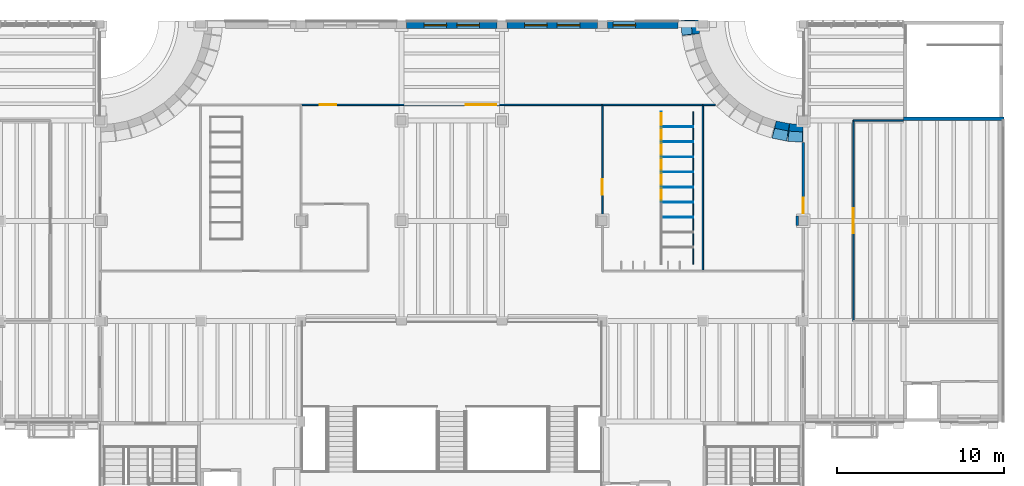
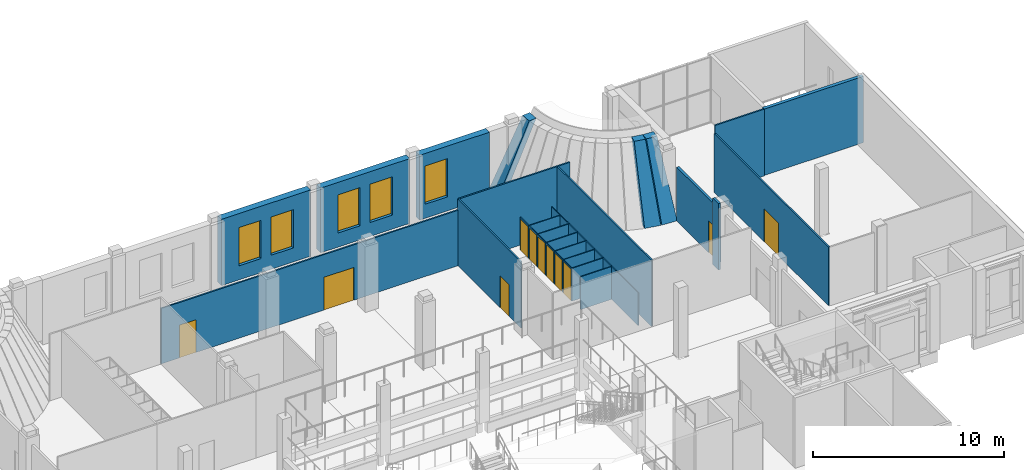
# One storey, part 34 of 70: 30 walls, 11 doors, 5 windows, 16 openings.
"""IFC4 building model written with IfcOpenShell, lengths in metres."""

import ifcopenshell
import ifcopenshell.guid

model = None  # the IFC model being written
_history = None  # IfcOwnerHistory: only IFC2X3 demands one
_inside = {}  # id of a spatial element -> (the spatial element, [elements in it])
_under = {}  # id of a project, library or spatial element -> (it, [spatial elements below it])
_declared = {}  # id of a project -> (the project, [libraries it declares])
_typed = {}  # id of a type object -> (the type object, [elements of that type])
_made_of = {}  # id of a material, layer set ... -> (it, [elements and type objects made of it])


def new_model(schema):
    """Start an empty IFC model of exactly this schema.

    Asked for "IFC4X3", IfcOpenShell would pick the latest addendum, in which some entities
    have other attributes; the version numbers below select the first issue.
    IFC2X3 requires an IfcOwnerHistory on every rooted entity: one is made here for all.
    """
    global model, _history
    if schema == "IFC4X3":
        model = ifcopenshell.file(schema_version=(4, 3, 0, 0))
    else:
        model = ifcopenshell.file(schema=schema)
    _inside.clear()
    _under.clear()
    _declared.clear()
    _typed.clear()
    _made_of.clear()
    _history = None
    if model.schema == "IFC2X3":
        org = make("IfcOrganization", Name="unknown")
        user = make(
            "IfcPersonAndOrganization",
            ThePerson=make("IfcPerson", FamilyName="unknown"),
            TheOrganization=org,
        )
        app = make(
            "IfcApplication",
            ApplicationDeveloper=org,
            Version="unknown",
            ApplicationFullName="unknown",
            ApplicationIdentifier="unknown",
        )
        _history = make(
            "IfcOwnerHistory",
            OwningUser=user,
            OwningApplication=app,
            ChangeAction="ADDED",
            CreationDate=0,
        )
    return model


def make(cls, **values):
    """One entity of the class cls with the attributes given. An attribute that is None is left unset."""
    return model.create_entity(
        cls, **{name: value for name, value in values.items() if value is not None}
    )


def rooted(cls, **values):
    """An entity with a GlobalId (a new one), such as an element, a storey or a relation."""
    return make(cls, GlobalId=ifcopenshell.guid.new(), OwnerHistory=_history, **values)


def si_unit(unit_type, name, prefix=None):
    """IfcSIUnit, for example si_unit("LENGTHUNIT", "METRE", prefix="MILLI")."""
    return make("IfcSIUnit", UnitType=unit_type, Prefix=prefix, Name=name)


def assignment(units):
    """IfcUnitAssignment: the units of a project."""
    return None if units is None else make("IfcUnitAssignment", Units=units)


def point(xyz):
    """IfcCartesianPoint."""
    return None if xyz is None else make("IfcCartesianPoint", Coordinates=xyz)


def direction(xyz):
    """IfcDirection."""
    return None if xyz is None else make("IfcDirection", DirectionRatios=xyz)


def frame(location, z_axis=None, x_axis=None):
    """IfcAxis2Placement3D, a coordinate frame: its origin and axes. An axis left out is left unset."""
    return make(
        "IfcAxis2Placement3D",
        Location=point(location),
        Axis=direction(z_axis),
        RefDirection=direction(x_axis),
    )


def frame_2d(location, x_axis=None):
    """IfcAxis2Placement2D, a coordinate frame in the plane: its origin and x axis."""
    return make(
        "IfcAxis2Placement2D", Location=point(location), RefDirection=direction(x_axis)
    )


def origin():
    """The frame at (0, 0, 0) with its axes left unset."""
    return frame((0.0, 0.0, 0.0))


def place(relative_to, where):
    """IfcLocalPlacement: puts the frame where relative to a parent placement (None: the world)."""
    return make(
        "IfcLocalPlacement", PlacementRelTo=relative_to, RelativePlacement=where
    )


def context(
    kind, dimensions, precision=None, world=None, true_north=None, identifier=None
):
    """IfcGeometricRepresentationContext, for example the 3D "Model" context."""
    return make(
        "IfcGeometricRepresentationContext",
        ContextIdentifier=identifier,
        ContextType=kind,
        CoordinateSpaceDimension=dimensions,
        Precision=precision,
        WorldCoordinateSystem=world,
        TrueNorth=true_north,
    )


def subcontext(parent, identifier, kind, view, scale=None):
    """IfcGeometricRepresentationSubContext, for example "Body" below "Model"."""
    return make(
        "IfcGeometricRepresentationSubContext",
        ContextIdentifier=identifier,
        ContextType=kind,
        ParentContext=parent,
        TargetScale=scale,
        TargetView=view,
    )


def project(units=None, contexts=None):
    """IfcProject with its units and contexts."""
    return rooted(
        "IfcProject",
        Name="project",
        RepresentationContexts=contexts,
        UnitsInContext=assignment(units),
    )


def spatial(cls, under=None, at=None, **own):
    """A site, building, storey or space (cls), placed at a placement, below another one or the project."""
    s = rooted(cls, ObjectPlacement=at, **own)
    if under is not None:
        _under.setdefault(under.id(), (under, []))[1].append(s)
    return s


def polyline(points):
    """IfcPolyline through the points."""
    return make("IfcPolyline", Points=[point(p) for p in points])


def profile(cls, at=None, kind="AREA", **sizes):
    """A parametric profile (cls). Its sizes go by their IFC names, for example OverallWidth=200.0."""
    return make(cls, ProfileType=kind, Position=at, **sizes)


def rectangle(**sizes):
    """IfcRectangleProfileDef."""
    return profile("IfcRectangleProfileDef", **sizes)


def outline(outer, holes=None, kind="AREA"):
    """IfcArbitraryClosedProfileDef: a profile drawn as a closed curve; with holes, ...WithVoids."""
    if holes is None:
        return make("IfcArbitraryClosedProfileDef", ProfileType=kind, OuterCurve=outer)
    return make(
        "IfcArbitraryProfileDefWithVoids",
        ProfileType=kind,
        OuterCurve=outer,
        InnerCurves=holes,
    )


def extrude(swept, where, along, depth):
    """IfcExtrudedAreaSolid: the profile swept, set in the frame where, extruded along a direction by depth."""
    return make(
        "IfcExtrudedAreaSolid",
        SweptArea=swept,
        Position=where,
        ExtrudedDirection=direction(along),
        Depth=depth,
    )


def shape(context_of_items, identifier, shape_type, items):
    """IfcShapeRepresentation: the items that make up one representation, for example the "Body"."""
    return make(
        "IfcShapeRepresentation",
        ContextOfItems=context_of_items,
        RepresentationIdentifier=identifier,
        RepresentationType=shape_type,
        Items=items,
    )


def material(Name=None, Category=None):
    """IfcMaterial."""
    return make("IfcMaterial", Name=Name, Category=Category)


def layer(
    of_material, thickness, ventilated=None, Name=None, Category=None, Priority=None
):
    """IfcMaterialLayer: one layer of a wall or slab, of a material (None: an air gap)."""
    return make(
        "IfcMaterialLayer",
        Material=of_material,
        LayerThickness=thickness,
        IsVentilated=ventilated,
        Name=Name,
        Category=Category,
        Priority=Priority,
    )


def layer_set(layers, Name=None):
    """IfcMaterialLayerSet."""
    return make("IfcMaterialLayerSet", MaterialLayers=layers, LayerSetName=Name)


def made_of(thing, what):
    """Note that an element or type object is made of a material, layer set ...; save() writes the relation."""
    if what is not None:
        _made_of.setdefault(what.id(), (what, []))[1].append(thing)
    return thing


def type_object(cls, material=None, **own):
    """A type object (cls), such as IfcWallType, which elements share."""
    return made_of(rooted(cls, **own), material)


def element(
    cls,
    number,
    at=None,
    inside=None,
    cuts=None,
    type_object=None,
    material=None,
    context=None,
    identifier="Body",
    shape_type=None,
    held_by="IfcProductDefinitionShape",
    body=None,
    shapes=None,
    **own,
):
    """One element of the class cls, such as IfcWall. Its Tag is "e" and its number.

    at: its placement. inside: the storey or other place that contains it. cuts: it is an
    opening in that element (IfcRelVoidsElement). A single representation is given by context,
    identifier, shape_type and body (its items); several are given by shapes. held_by: the class
    of the entity that holds the representations. save() writes the other relations.
    """
    e = rooted(cls, Tag="e%d" % number, ObjectPlacement=at, **own)
    if body is not None:
        shapes = [shape(context, identifier, shape_type, body)]
    if shapes is not None:
        e.Representation = make(held_by, Representations=shapes)
    if inside is not None:
        _inside.setdefault(inside.id(), (inside, []))[1].append(e)
    if cuts is not None:
        rooted(
            "IfcRelVoidsElement", RelatingBuildingElement=cuts, RelatedOpeningElement=e
        )
    if type_object is not None:
        _typed.setdefault(type_object.id(), (type_object, []))[1].append(e)
    return made_of(e, material)


def fill(opening, filler):
    """IfcRelFillsElement: the door or window that sits in an opening."""
    return rooted(
        "IfcRelFillsElement",
        RelatingOpeningElement=opening,
        RelatedBuildingElement=filler,
    )


def aggregate(whole, parts):
    """IfcRelAggregates: a whole, such as a stair, and the parts it consists of."""
    return rooted("IfcRelAggregates", RelatingObject=whole, RelatedObjects=parts)


def save(model, path):
    """Write the relations noted so far, then the file.

    IfcRelAggregates (storeys below a building ...), IfcRelContainedInSpatialStructure (elements
    in a storey), IfcRelDefinesByType, IfcRelAssociatesMaterial and IfcRelDeclares: one each for
    every whole, place, type object, material and project.
    """
    for whole, parts in _under.values():
        aggregate(whole, parts)
    for where, things in _inside.values():
        rooted(
            "IfcRelContainedInSpatialStructure",
            RelatedElements=things,
            RelatingStructure=where,
        )
    for kind, things in _typed.values():
        rooted("IfcRelDefinesByType", RelatedObjects=things, RelatingType=kind)
    for what, things in _made_of.values():
        rooted("IfcRelAssociatesMaterial", RelatedObjects=things, RelatingMaterial=what)
    for by, libraries in _declared.values():
        rooted("IfcRelDeclares", RelatingContext=by, RelatedDefinitions=libraries)
    model.write(path)


model = new_model("IFC4")

# Units and contexts
model_context = context("Model", 3, precision=1e-05, world=origin(), true_north=direction((0.0, 1.0)))
body_context = subcontext(model_context, "Body", "Model", "MODEL_VIEW")
ifc_project = project(units=[si_unit("LENGTHUNIT", "METRE"), si_unit("AREAUNIT", "SQUARE_METRE"), si_unit("VOLUMEUNIT", "CUBIC_METRE"), si_unit("PLANEANGLEUNIT", "RADIAN"), si_unit("MASSUNIT", "GRAM", prefix="KILO")], contexts=[model_context])

# Site, building, storey
site_placement = place(None, origin())
site = spatial("IfcSite", under=ifc_project, at=site_placement, CompositionType="ELEMENT")
building_placement = place(site_placement, origin())
building = spatial("IfcBuilding", under=site, at=building_placement, Name="Saffron Lane Theatres", CompositionType="ELEMENT")
storey_placement = place(building_placement, frame((0.0, 0.0, 12.0)))
storey = spatial("IfcBuildingStorey", under=building, at=storey_placement, Name="L02", CompositionType="ELEMENT", Elevation=12.0)

# Wall, openings, windows
ifc_material_1 = material(Name="Masonry pale clay brick", Category="masonry")
ifc_layer_1 = layer(ifc_material_1, 0.11, Name="facing leaf")
ifc_material_2 = material(Name="Air cavity", Category="air")
ifc_layer_2 = layer(ifc_material_2, 0.05, ventilated=True, Name="cavity")
ifc_material_3 = material(Name="Mineral wool insulation")
ifc_layer_3 = layer(ifc_material_3, 0.06, Name="insulation")
ifc_material_4 = material(Name="Concrete N40 (40 MPa)", Category="concrete")
ifc_layer_4 = layer(ifc_material_4, 0.18, Name="inner leaf")
ifc_layer_set_1 = layer_set([ifc_layer_1, ifc_layer_2, ifc_layer_3, ifc_layer_4], Name="Masonry pale clay brick")
wall_type_1 = type_object("IfcWallType", Name="EX-WALL BRICK 400", PredefinedType="SOLIDWALL", material=ifc_layer_set_1)
wall_1_placement = place(storey_placement, frame((30.300048828125, 125.699951171875, 0.0), z_axis=(0.0, 0.0, 1.0), x_axis=(1.0, 0.0, 0.0)))
wall_1 = element("IfcWall", 1, at=wall_1_placement, inside=storey, type_object=wall_type_1, Name="External wall L02 13", PredefinedType="SOLIDWALL", context=body_context, shape_type="SweptSolid", body=[
    extrude(rectangle(XDim=5.39990234375, YDim=0.39990234375, at=frame_2d((2.699951171875, 0.0))), origin(), (0.0, 0.0, 1.0), 4.25),
])
opening_1_placement = place(wall_1_placement, frame((1.050048828125, 0.0, 0.89990234375)))
opening_1 = element("IfcOpeningElement", 2, at=opening_1_placement, cuts=wall_1, Name="Opening WN02-012", PredefinedType="OPENING", context=body_context, shape_type="SweptSolid", body=[
    extrude(rectangle(XDim=1.35009765625, YDim=2.449951171875, at=frame_2d((0.675048828125, 1.22509765625))), frame((0.0, 0.2099609375, 0.0), z_axis=(0.0, -1.0, 0.0), x_axis=(1.0, 0.0, 0.0)), (0.0, 0.0, 1.0), 0.419921875),
])
opening_2_placement = place(wall_1_placement, frame((3.0, 0.0, 0.89990234375)))
opening_2 = element("IfcOpeningElement", 3, at=opening_2_placement, cuts=wall_1, Name="Opening WN02-013", PredefinedType="OPENING", context=body_context, shape_type="SweptSolid", body=[
    extrude(rectangle(XDim=1.35009765625, YDim=2.449951171875, at=frame_2d((0.675048828125, 1.22509765625))), frame((0.0, 0.2099609375, 0.0), z_axis=(0.0, -1.0, 0.0), x_axis=(1.0, 0.0, 0.0)), (0.0, 0.0, 1.0), 0.419921875),
])
ifc_material_5 = material(Name="Aluminium", Category="aluminium")
window_type = type_object("IfcWindowType", Name="EX-WINDOW 1350x2450", PartitioningType="SINGLE_PANEL", PredefinedType="WINDOW", material=ifc_material_5)
window_1_placement = place(opening_1_placement, origin())
window_1 = element("IfcWindow", 4, at=window_1_placement, inside=storey, type_object=window_type, Name="Window L02 012", OverallHeight=2.449951171875, OverallWidth=1.35009765625, PartitioningType="SINGLE_PANEL", PredefinedType="WINDOW", context=body_context, shape_type="SweptSolid", body=[
    extrude(rectangle(XDim=1.35009765625, YDim=2.449951171875, at=frame_2d((0.675048828125, 1.22509765625))), frame((0.0, 0.030029296875, 0.0), z_axis=(0.0, -1.0, 0.0), x_axis=(1.0, 0.0, 0.0)), (0.0, 0.0, 1.0), 0.06005859375),
])
fill(opening_1, window_1)
window_2_placement = place(opening_2_placement, origin())
window_2 = element("IfcWindow", 5, at=window_2_placement, inside=storey, type_object=window_type, Name="Window L02 013", OverallHeight=2.449951171875, OverallWidth=1.35009765625, PartitioningType="SINGLE_PANEL", PredefinedType="WINDOW", context=body_context, shape_type="SweptSolid", body=[
    extrude(rectangle(XDim=1.35009765625, YDim=2.449951171875, at=frame_2d((0.675048828125, 1.22509765625))), frame((0.0, 0.030029296875, 0.0), z_axis=(0.0, -1.0, 0.0), x_axis=(1.0, 0.0, 0.0)), (0.0, 0.0, 1.0), 0.06005859375),
])
fill(opening_2, window_2)

wall_2_placement = place(storey_placement, frame((36.300048828125, 125.699951171875, 0.0), z_axis=(0.0, 0.0, 1.0), x_axis=(1.0, 0.0, 0.0)))
wall_2 = element("IfcWall", 6, at=wall_2_placement, inside=storey, type_object=wall_type_1, Name="External wall L02 14", PredefinedType="SOLIDWALL", context=body_context, shape_type="SweptSolid", body=[
    extrude(rectangle(XDim=5.39990234375, YDim=0.39990234375, at=frame_2d((2.699951171875, 0.0))), origin(), (0.0, 0.0, 1.0), 4.14990234375),
])
opening_3_placement = place(wall_2_placement, frame((1.050048828125, 0.0, 0.89990234375)))
opening_3 = element("IfcOpeningElement", 7, at=opening_3_placement, cuts=wall_2, Name="Opening WN02-014", PredefinedType="OPENING", context=body_context, shape_type="SweptSolid", body=[
    extrude(rectangle(XDim=1.35009765625, YDim=2.449951171875, at=frame_2d((0.675048828125, 1.22509765625))), frame((0.0, 0.2099609375, 0.0), z_axis=(0.0, -1.0, 0.0), x_axis=(1.0, 0.0, 0.0)), (0.0, 0.0, 1.0), 0.419921875),
])
opening_4_placement = place(wall_2_placement, frame((3.0, 0.0, 0.89990234375)))
opening_4 = element("IfcOpeningElement", 8, at=opening_4_placement, cuts=wall_2, Name="Opening WN02-015", PredefinedType="OPENING", context=body_context, shape_type="SweptSolid", body=[
    extrude(rectangle(XDim=1.35009765625, YDim=2.449951171875, at=frame_2d((0.675048828125, 1.22509765625))), frame((0.0, 0.2099609375, 0.0), z_axis=(0.0, -1.0, 0.0), x_axis=(1.0, 0.0, 0.0)), (0.0, 0.0, 1.0), 0.419921875),
])
window_3_placement = place(opening_3_placement, origin())
window_3 = element("IfcWindow", 9, at=window_3_placement, inside=storey, type_object=window_type, Name="Window L02 014", OverallHeight=2.449951171875, OverallWidth=1.35009765625, PartitioningType="SINGLE_PANEL", PredefinedType="WINDOW", context=body_context, shape_type="SweptSolid", body=[
    extrude(rectangle(XDim=1.35009765625, YDim=2.449951171875, at=frame_2d((0.675048828125, 1.22509765625))), frame((0.0, 0.030029296875, 0.0), z_axis=(0.0, -1.0, 0.0), x_axis=(1.0, 0.0, 0.0)), (0.0, 0.0, 1.0), 0.06005859375),
])
fill(opening_3, window_3)
window_4_placement = place(opening_4_placement, origin())
window_4 = element("IfcWindow", 10, at=window_4_placement, inside=storey, type_object=window_type, Name="Window L02 015", OverallHeight=2.449951171875, OverallWidth=1.35009765625, PartitioningType="SINGLE_PANEL", PredefinedType="WINDOW", context=body_context, shape_type="SweptSolid", body=[
    extrude(rectangle(XDim=1.35009765625, YDim=2.449951171875, at=frame_2d((0.675048828125, 1.22509765625))), frame((0.0, 0.030029296875, 0.0), z_axis=(0.0, -1.0, 0.0), x_axis=(1.0, 0.0, 0.0)), (0.0, 0.0, 1.0), 0.06005859375),
])
fill(opening_4, window_4)

# Wall, opening, window
ifc_material_6 = material(Name="Masonry pale clay brick (20 MPa)", Category="masonry")
ifc_layer_5 = layer(ifc_material_6, 0.39990234375)
ifc_layer_set_2 = layer_set([ifc_layer_5], Name="Masonry pale clay brick (20 MPa)")
wall_type_2 = type_object("IfcWallType", Name="EX-WALL BRICK BEARING 400", PredefinedType="SOLIDWALL", material=ifc_layer_set_2)
wall_3_placement = place(storey_placement, frame((42.300048828125, 125.699951171875, 0.0), z_axis=(0.0, 0.0, 1.0), x_axis=(1.0, 0.0, 0.0)))
wall_3 = element("IfcWall", 11, at=wall_3_placement, inside=storey, type_object=wall_type_2, Name="External wall L02 15", PredefinedType="SOLIDWALL", context=body_context, shape_type="SweptSolid", body=[
    extrude(rectangle(XDim=4.2255859375, YDim=0.39990234375, at=frame_2d((2.11279296875, 0.0))), origin(), (0.0, 0.0, 1.0), 4.14990234375),
])
opening_5_placement = place(wall_3_placement, frame((0.337890625, 0.0, 0.89990234375)))
opening_5 = element("IfcOpeningElement", 12, at=opening_5_placement, cuts=wall_3, Name="Opening WN02-016", PredefinedType="OPENING", context=body_context, shape_type="SweptSolid", body=[
    extrude(rectangle(XDim=1.35009765625, YDim=2.449951171875, at=frame_2d((0.675048828125, 1.22509765625))), frame((0.0, 0.2099609375, 0.0), z_axis=(0.0, -1.0, 0.0), x_axis=(1.0, 0.0, 0.0)), (0.0, 0.0, 1.0), 0.419921875),
])
window_5_placement = place(opening_5_placement, origin())
window_5 = element("IfcWindow", 13, at=window_5_placement, inside=storey, type_object=window_type, Name="Window L02 016", OverallHeight=2.449951171875, OverallWidth=1.35009765625, PartitioningType="SINGLE_PANEL", PredefinedType="WINDOW", context=body_context, shape_type="SweptSolid", body=[
    extrude(rectangle(XDim=1.35009765625, YDim=2.449951171875, at=frame_2d((0.675048828125, 1.22509765625))), frame((0.0, 0.030029296875, 0.0), z_axis=(0.0, -1.0, 0.0), x_axis=(1.0, 0.0, 0.0)), (0.0, 0.0, 1.0), 0.06005859375),
])
fill(opening_5, window_5)

# Wall, opening, door
ifc_material_7 = material(Name="Masonry block partition", Category="masonry")
ifc_layer_6 = layer(ifc_material_7, 0.139892578125)
ifc_layer_set_3 = layer_set([ifc_layer_6], Name="Masonry block partition")
wall_type_3 = type_object("IfcWallType", Name="IN-BLOCK PARTITION 140", PredefinedType="PARTITIONING", material=ifc_layer_set_3)
wall_4_placement = place(storey_placement, frame((54.0, 114.294921875, 0.0), z_axis=(0.0, 0.0, 1.0), x_axis=(0.0, 1.0, 0.0)))
wall_4 = element("IfcWall", 14, at=wall_4_placement, inside=storey, type_object=wall_type_3, Name="PW-L02-046", PredefinedType="PARTITIONING", context=body_context, shape_type="SweptSolid", body=[
    extrude(rectangle(XDim=4.398193359375, YDim=0.139892578125, at=frame_2d((2.19921875, 0.0))), origin(), (0.0, 0.0, 1.0), 3.449951171875),
])
opening_6_placement = place(wall_4_placement, frame((0.155029296875, 0.0, 0.0)))
opening_6 = element("IfcOpeningElement", 15, at=opening_6_placement, cuts=wall_4, Name="Opening D02-06", PredefinedType="OPENING", context=body_context, shape_type="SweptSolid", body=[
    extrude(rectangle(XDim=0.919921875, YDim=2.0400390625, at=frame_2d((0.4599609375, 1.02001953125))), frame((0.0, 0.080078125, 0.0), z_axis=(0.0, -1.0, 0.0), x_axis=(1.0, 0.0, 0.0)), (0.0, 0.0, 1.0), 0.159912109375),
])
ifc_material_8 = material(Name="Steel faced fire door leaf", Category="steel")
door_type_1 = type_object("IfcDoorType", Name="IN-DOOR 920x2040 FD120", OperationType="NOTDEFINED", PredefinedType="DOOR", material=ifc_material_8)
door_1_placement = place(opening_6_placement, origin())
door_1 = element("IfcDoor", 16, at=door_1_placement, inside=storey, type_object=door_type_1, Name="D02-06", OperationType="SINGLE_SWING_LEFT", OverallHeight=2.0400390625, OverallWidth=0.919921875, PredefinedType="DOOR", context=body_context, shape_type="SweptSolid", body=[
    extrude(rectangle(XDim=0.919921875, YDim=2.0400390625, at=frame_2d((0.4599609375, 1.02001953125))), frame((0.0, 0.02490234375, 0.0), z_axis=(0.0, -1.0, 0.0), x_axis=(1.0, 0.0, 0.0)), (0.0, 0.0, 1.0), 0.050048828125),
])
fill(opening_6, door_1)

# Walls
wall_5_placement = place(storey_placement, frame((53.64990234375, 113.705078125, 0.0), z_axis=(0.0, 0.0, 1.0), x_axis=(0.0, 1.0, 0.0)))
element("IfcWall", 17, at=wall_5_placement, inside=storey, type_object=wall_type_3, Name="PW-L02-048", PredefinedType="PARTITIONING", context=body_context, shape_type="SweptSolid", body=[
    extrude(rectangle(XDim=0.58984375, YDim=0.139892578125, at=frame_2d((0.294921875, 0.0))), origin(), (0.0, 0.0, 1.0), 4.25),
])
ifc_material_9 = material(Name="Laminate cubicle panel")
ifc_layer_7 = layer(ifc_material_9, 0.050048828125)
ifc_layer_set_4 = layer_set([ifc_layer_7], Name="Laminate cubicle panel")
wall_type_4 = type_object("IfcWallType", Name="IN-CUBICLE PANEL 050", PredefinedType="PARTITIONING", material=ifc_layer_set_4)
for number, where, z_axis, x_axis, name in (
    (18, (45.52490234375, 114.215087890625, 0.0), (0.0, 0.0, 1.0), (1.0, 0.0, 0.0), "PW-L02-126"),
    (19, (45.52490234375, 115.114990234375, 0.0), (0.0, 0.0, 1.0), (1.0, 0.0, 0.0), "PW-L02-127"),
    (20, (45.52490234375, 116.014892578125, 0.0), (0.0, 0.0, 1.0), (1.0, 0.0, 0.0), "PW-L02-128"),
    (21, (45.52490234375, 116.9150390625, 0.0), (0.0, 0.0, 1.0), (1.0, 0.0, 0.0), "PW-L02-129"),
    (22, (45.52490234375, 117.81494140625, 0.0), (0.0, 0.0, 1.0), (1.0, 0.0, 0.0), "PW-L02-130"),
    (23, (45.52490234375, 118.715087890625, 0.0), (0.0, 0.0, 1.0), (1.0, 0.0, 0.0), "PW-L02-131"),
    (24, (45.52490234375, 119.614990234375, 0.0), (0.0, 0.0, 1.0), (1.0, 0.0, 0.0), "PW-L02-132"),
):
    element("IfcWall", number, at=place(storey_placement, frame(where, z_axis=z_axis, x_axis=x_axis)), inside=storey, type_object=wall_type_4, Name=name, PredefinedType="PARTITIONING", context=body_context, shape_type="SweptSolid", body=[
        extrude(rectangle(XDim=1.900146484375, YDim=0.050048828125, at=frame_2d((0.9501953125, 0.0))), origin(), (0.0, 0.0, 1.0), 2.10009765625),
    ])

# Wall, opening, door
wall_6_placement = place(storey_placement, frame((45.52490234375, 115.114990234375, 0.0), z_axis=(0.0, 0.0, 1.0), x_axis=(0.0, 1.0, 0.0)))
wall_6 = element("IfcWall", 25, at=wall_6_placement, inside=storey, type_object=wall_type_4, Name="PW-L02-137", PredefinedType="PARTITIONING", context=body_context, shape_type="SweptSolid", body=[
    extrude(rectangle(XDim=0.89990234375, YDim=0.050048828125, at=frame_2d((0.449951171875, 0.0))), origin(), (0.0, 0.0, 1.0), 2.10009765625),
])
opening_7_placement = place(wall_6_placement, frame((0.074951171875, 0.0, 0.0)))
opening_7 = element("IfcOpeningElement", 26, at=opening_7_placement, cuts=wall_6, Name="Opening D02-66", PredefinedType="OPENING", context=body_context, shape_type="SweptSolid", body=[
    extrude(rectangle(XDim=0.75, YDim=2.0, at=frame_2d((0.375, 1.0))), frame((0.0, 0.03515625, 0.0), z_axis=(0.0, -1.0, 0.0), x_axis=(1.0, 0.0, 0.0)), (0.0, 0.0, 1.0), 0.070068359375),
])
ifc_material_10 = material(Name="Timber door leaf", Category="wood")
door_type_2 = type_object("IfcDoorType", Name="IN-DOOR 750x2000", OperationType="NOTDEFINED", PredefinedType="DOOR", material=ifc_material_10)
door_2_placement = place(opening_7_placement, frame((0.75, 0.0, 0.0), z_axis=(0.0, 0.0, 1.0), x_axis=(-1.0, 0.0, 0.0)))
door_2 = element("IfcDoor", 27, at=door_2_placement, inside=storey, type_object=door_type_2, Name="D02-66", OperationType="SINGLE_SWING_RIGHT", OverallHeight=2.0, OverallWidth=0.75, PredefinedType="DOOR", context=body_context, shape_type="SweptSolid", body=[
    extrude(rectangle(XDim=0.75, YDim=2.0, at=frame_2d((0.375, 1.0))), frame((0.0, 0.02490234375, 0.0), z_axis=(0.0, -1.0, 0.0), x_axis=(1.0, 0.0, 0.0)), (0.0, 0.0, 1.0), 0.049560546875),
])
fill(opening_7, door_2)

wall_7_placement = place(storey_placement, frame((45.52490234375, 116.014892578125, 0.0), z_axis=(0.0, 0.0, 1.0), x_axis=(0.0, 1.0, 0.0)))
wall_7 = element("IfcWall", 28, at=wall_7_placement, inside=storey, type_object=wall_type_4, Name="PW-L02-138", PredefinedType="PARTITIONING", context=body_context, shape_type="SweptSolid", body=[
    extrude(rectangle(XDim=0.900146484375, YDim=0.050048828125, at=frame_2d((0.4501953125, 0.0))), origin(), (0.0, 0.0, 1.0), 2.10009765625),
])
opening_8_placement = place(wall_7_placement, frame((0.074951171875, 0.0, 0.0)))
opening_8 = element("IfcOpeningElement", 29, at=opening_8_placement, cuts=wall_7, Name="Opening D02-67", PredefinedType="OPENING", context=body_context, shape_type="SweptSolid", body=[
    extrude(rectangle(XDim=0.75, YDim=2.0, at=frame_2d((0.375, 1.0))), frame((0.0, 0.03515625, 0.0), z_axis=(0.0, -1.0, 0.0), x_axis=(1.0, 0.0, 0.0)), (0.0, 0.0, 1.0), 0.070068359375),
])
door_3_placement = place(opening_8_placement, frame((0.75, 0.0, 0.0), z_axis=(0.0, 0.0, 1.0), x_axis=(-1.0, 0.0, 0.0)))
door_3 = element("IfcDoor", 30, at=door_3_placement, inside=storey, type_object=door_type_2, Name="D02-67", OperationType="SINGLE_SWING_LEFT", OverallHeight=2.0, OverallWidth=0.75, PredefinedType="DOOR", context=body_context, shape_type="SweptSolid", body=[
    extrude(rectangle(XDim=0.75, YDim=2.0, at=frame_2d((0.375, 1.0))), frame((0.0, 0.02490234375, 0.0), z_axis=(0.0, -1.0, 0.0), x_axis=(1.0, 0.0, 0.0)), (0.0, 0.0, 1.0), 0.049560546875),
])
fill(opening_8, door_3)

wall_8_placement = place(storey_placement, frame((45.52490234375, 116.9150390625, 0.0), z_axis=(0.0, 0.0, 1.0), x_axis=(0.0, 1.0, 0.0)))
wall_8 = element("IfcWall", 31, at=wall_8_placement, inside=storey, type_object=wall_type_4, Name="PW-L02-139", PredefinedType="PARTITIONING", context=body_context, shape_type="SweptSolid", body=[
    extrude(rectangle(XDim=0.89990234375, YDim=0.050048828125, at=frame_2d((0.449951171875, 0.0))), origin(), (0.0, 0.0, 1.0), 2.10009765625),
])
opening_9_placement = place(wall_8_placement, frame((0.074951171875, 0.0, 0.0)))
opening_9 = element("IfcOpeningElement", 32, at=opening_9_placement, cuts=wall_8, Name="Opening D02-68", PredefinedType="OPENING", context=body_context, shape_type="SweptSolid", body=[
    extrude(rectangle(XDim=0.75, YDim=2.0, at=frame_2d((0.375, 1.0))), frame((0.0, 0.03515625, 0.0), z_axis=(0.0, -1.0, 0.0), x_axis=(1.0, 0.0, 0.0)), (0.0, 0.0, 1.0), 0.070068359375),
])
door_4_placement = place(opening_9_placement, frame((0.75, 0.0, 0.0), z_axis=(0.0, 0.0, 1.0), x_axis=(-1.0, 0.0, 0.0)))
door_4 = element("IfcDoor", 33, at=door_4_placement, inside=storey, type_object=door_type_2, Name="D02-68", OperationType="SINGLE_SWING_RIGHT", OverallHeight=2.0, OverallWidth=0.75, PredefinedType="DOOR", context=body_context, shape_type="SweptSolid", body=[
    extrude(rectangle(XDim=0.75, YDim=2.0, at=frame_2d((0.375, 1.0))), frame((0.0, 0.02490234375, 0.0), z_axis=(0.0, -1.0, 0.0), x_axis=(1.0, 0.0, 0.0)), (0.0, 0.0, 1.0), 0.049560546875),
])
fill(opening_9, door_4)

wall_9_placement = place(storey_placement, frame((45.52490234375, 117.81494140625, 0.0), z_axis=(0.0, 0.0, 1.0), x_axis=(0.0, 1.0, 0.0)))
wall_9 = element("IfcWall", 34, at=wall_9_placement, inside=storey, type_object=wall_type_4, Name="PW-L02-140", PredefinedType="PARTITIONING", context=body_context, shape_type="SweptSolid", body=[
    extrude(rectangle(XDim=0.900146484375, YDim=0.050048828125, at=frame_2d((0.4501953125, 0.0))), origin(), (0.0, 0.0, 1.0), 2.10009765625),
])
opening_10_placement = place(wall_9_placement, frame((0.074951171875, 0.0, 0.0)))
opening_10 = element("IfcOpeningElement", 35, at=opening_10_placement, cuts=wall_9, Name="Opening D02-69", PredefinedType="OPENING", context=body_context, shape_type="SweptSolid", body=[
    extrude(rectangle(XDim=0.75, YDim=2.0, at=frame_2d((0.375, 1.0))), frame((0.0, 0.03515625, 0.0), z_axis=(0.0, -1.0, 0.0), x_axis=(1.0, 0.0, 0.0)), (0.0, 0.0, 1.0), 0.070068359375),
])
door_5_placement = place(opening_10_placement, frame((0.75, 0.0, 0.0), z_axis=(0.0, 0.0, 1.0), x_axis=(-1.0, 0.0, 0.0)))
door_5 = element("IfcDoor", 36, at=door_5_placement, inside=storey, type_object=door_type_2, Name="D02-69", OperationType="SINGLE_SWING_LEFT", OverallHeight=2.0, OverallWidth=0.75, PredefinedType="DOOR", context=body_context, shape_type="SweptSolid", body=[
    extrude(rectangle(XDim=0.75, YDim=2.0, at=frame_2d((0.375, 1.0))), frame((0.0, 0.02490234375, 0.0), z_axis=(0.0, -1.0, 0.0), x_axis=(1.0, 0.0, 0.0)), (0.0, 0.0, 1.0), 0.049560546875),
])
fill(opening_10, door_5)

wall_10_placement = place(storey_placement, frame((45.52490234375, 118.715087890625, 0.0), z_axis=(0.0, 0.0, 1.0), x_axis=(0.0, 1.0, 0.0)))
wall_10 = element("IfcWall", 37, at=wall_10_placement, inside=storey, type_object=wall_type_4, Name="PW-L02-141", PredefinedType="PARTITIONING", context=body_context, shape_type="SweptSolid", body=[
    extrude(rectangle(XDim=0.89990234375, YDim=0.050048828125, at=frame_2d((0.449951171875, 0.0))), origin(), (0.0, 0.0, 1.0), 2.10009765625),
])
opening_11_placement = place(wall_10_placement, frame((0.074951171875, 0.0, 0.0)))
opening_11 = element("IfcOpeningElement", 38, at=opening_11_placement, cuts=wall_10, Name="Opening D02-70", PredefinedType="OPENING", context=body_context, shape_type="SweptSolid", body=[
    extrude(rectangle(XDim=0.75, YDim=2.0, at=frame_2d((0.375, 1.0))), frame((0.0, 0.03515625, 0.0), z_axis=(0.0, -1.0, 0.0), x_axis=(1.0, 0.0, 0.0)), (0.0, 0.0, 1.0), 0.070068359375),
])
door_6_placement = place(opening_11_placement, frame((0.75, 0.0, 0.0), z_axis=(0.0, 0.0, 1.0), x_axis=(-1.0, 0.0, 0.0)))
door_6 = element("IfcDoor", 39, at=door_6_placement, inside=storey, type_object=door_type_2, Name="D02-70", OperationType="SINGLE_SWING_RIGHT", OverallHeight=2.0, OverallWidth=0.75, PredefinedType="DOOR", context=body_context, shape_type="SweptSolid", body=[
    extrude(rectangle(XDim=0.75, YDim=2.0, at=frame_2d((0.375, 1.0))), frame((0.0, 0.02490234375, 0.0), z_axis=(0.0, -1.0, 0.0), x_axis=(1.0, 0.0, 0.0)), (0.0, 0.0, 1.0), 0.049560546875),
])
fill(opening_11, door_6)

wall_11_placement = place(storey_placement, frame((45.52490234375, 119.614990234375, 0.0), z_axis=(0.0, 0.0, 1.0), x_axis=(0.0, 1.0, 0.0)))
wall_11 = element("IfcWall", 40, at=wall_11_placement, inside=storey, type_object=wall_type_4, Name="PW-L02-142", PredefinedType="PARTITIONING", context=body_context, shape_type="SweptSolid", body=[
    extrude(rectangle(XDim=0.89990234375, YDim=0.050048828125, at=frame_2d((0.449951171875, 0.0))), origin(), (0.0, 0.0, 1.0), 2.10009765625),
])
opening_12_placement = place(wall_11_placement, frame((0.074951171875, 0.0, 0.0)))
opening_12 = element("IfcOpeningElement", 41, at=opening_12_placement, cuts=wall_11, Name="Opening D02-71", PredefinedType="OPENING", context=body_context, shape_type="SweptSolid", body=[
    extrude(rectangle(XDim=0.75, YDim=2.0, at=frame_2d((0.375, 1.0))), frame((0.0, 0.03515625, 0.0), z_axis=(0.0, -1.0, 0.0), x_axis=(1.0, 0.0, 0.0)), (0.0, 0.0, 1.0), 0.070068359375),
])
door_7_placement = place(opening_12_placement, frame((0.75, 0.0, 0.0), z_axis=(0.0, 0.0, 1.0), x_axis=(-1.0, 0.0, 0.0)))
door_7 = element("IfcDoor", 42, at=door_7_placement, inside=storey, type_object=door_type_2, Name="D02-71", OperationType="SINGLE_SWING_LEFT", OverallHeight=2.0, OverallWidth=0.75, PredefinedType="DOOR", context=body_context, shape_type="SweptSolid", body=[
    extrude(rectangle(XDim=0.75, YDim=2.0, at=frame_2d((0.375, 1.0))), frame((0.0, 0.02490234375, 0.0), z_axis=(0.0, -1.0, 0.0), x_axis=(1.0, 0.0, 0.0)), (0.0, 0.0, 1.0), 0.049560546875),
])
fill(opening_12, door_7)

# Wall
ifc_material_11 = material(Name="Laminate service partition")
ifc_layer_8 = layer(ifc_material_11, 0.06005859375)
ifc_layer_set_5 = layer_set([ifc_layer_8], Name="Laminate service partition")
wall_type_5 = type_object("IfcWallType", Name="IN-SERVICE PARTITION 060", PredefinedType="PARTITIONING", material=ifc_layer_set_5)
wall_12_placement = place(storey_placement, frame((47.425048828125, 111.4150390625, 0.0), z_axis=(0.0, 0.0, 1.0), x_axis=(0.0, 1.0, 0.0)))
element("IfcWall", 43, at=wall_12_placement, inside=storey, type_object=wall_type_5, Name="PW-L02-123", PredefinedType="PARTITIONING", context=body_context, shape_type="SweptSolid", body=[
    extrude(rectangle(XDim=9.099853515625, YDim=0.06005859375, at=frame_2d((4.5498046875, 0.0))), origin(), (0.0, 0.0, 1.0), 2.10009765625),
])

# Wall, openings, doors
ifc_material_12 = material(Name="Plasterboard on 90 mm steel studs", Category="steel")
ifc_layer_9 = layer(ifc_material_12, 0.090087890625)
ifc_layer_set_6 = layer_set([ifc_layer_9], Name="Plasterboard on 90 mm steel studs")
wall_type_6 = type_object("IfcWallType", Name="IN-STUD PARTITION 090", PredefinedType="PARTITIONING", material=ifc_layer_set_6)
wall_13_placement = place(storey_placement, frame((24.0, 120.929931640625, 0.0), z_axis=(0.0, 0.0, 1.0), x_axis=(1.0, 0.0, 0.0)))
wall_13 = element("IfcWall", 44, at=wall_13_placement, inside=storey, type_object=wall_type_6, Name="PW-L02-067", PredefinedType="PARTITIONING", context=body_context, shape_type="SweptSolid", body=[
    extrude(rectangle(XDim=18.0, YDim=0.090087890625, at=frame_2d((9.0, 0.0))), origin(), (0.0, 0.0, 1.0), 3.550048828125),
])
opening_13_placement = place(wall_13_placement, frame((9.85009765625, 0.0, 0.0)))
opening_13 = element("IfcOpeningElement", 45, at=opening_13_placement, cuts=wall_13, Name="Opening D02-08", PredefinedType="OPENING", context=body_context, shape_type="SweptSolid", body=[
    extrude(rectangle(XDim=1.800048828125, YDim=2.10009765625, at=frame_2d((0.89990234375, 1.050048828125))), frame((0.0, 0.05517578125, 0.0), z_axis=(0.0, -1.0, 0.0), x_axis=(1.0, 0.0, 0.0)), (0.0, 0.0, 1.0), 0.110107421875),
])
opening_14_placement = place(wall_13_placement, frame((1.10009765625, 0.0, 0.0)))
opening_14 = element("IfcOpeningElement", 46, at=opening_14_placement, cuts=wall_13, Name="Opening D02-53", PredefinedType="OPENING", context=body_context, shape_type="SweptSolid", body=[
    extrude(rectangle(XDim=1.0, YDim=2.10009765625, at=frame_2d((0.5, 1.050048828125))), frame((0.0, 0.05517578125, 0.0), z_axis=(0.0, -1.0, 0.0), x_axis=(1.0, 0.0, 0.0)), (0.0, 0.0, 1.0), 0.110107421875),
])
ifc_material_13 = material(Name="Timber door leaf", Category="wood")
door_type_3 = type_object("IfcDoorType", Name="IN-DOOR 1000x2100", OperationType="NOTDEFINED", PredefinedType="DOOR", material=ifc_material_13)
door_8_placement = place(opening_14_placement, frame((1.0, 0.0, 0.0), z_axis=(0.0, 0.0, 1.0), x_axis=(-1.0, 0.0, 0.0)))
door_8 = element("IfcDoor", 47, at=door_8_placement, inside=storey, type_object=door_type_3, Name="D02-53", OperationType="SINGLE_SWING_RIGHT", OverallHeight=2.10009765625, OverallWidth=1.0, PredefinedType="DOOR", context=body_context, shape_type="SweptSolid", body=[
    extrude(rectangle(XDim=1.0, YDim=2.10009765625, at=frame_2d((0.5, 1.050048828125))), frame((0.0, 0.02490234375, 0.0), z_axis=(0.0, -1.0, 0.0), x_axis=(1.0, 0.0, 0.0)), (0.0, 0.0, 1.0), 0.050048828125),
])
fill(opening_14, door_8)
ifc_material_14 = material(Name="Timber door leaf", Category="wood")
door_type_4 = type_object("IfcDoorType", Name="IN-DOOR 1800x2100", OperationType="DOUBLE_DOOR_SINGLE_SWING", PredefinedType="DOOR", material=ifc_material_14)
door_9_placement = place(opening_13_placement, origin())
door_9 = element("IfcDoor", 48, at=door_9_placement, inside=storey, type_object=door_type_4, Name="D02-08", OperationType="DOUBLE_DOOR_SINGLE_SWING", OverallHeight=2.10009765625, OverallWidth=1.800048828125, PredefinedType="DOOR", context=body_context, shape_type="SweptSolid", body=[
    extrude(rectangle(XDim=1.800048828125, YDim=2.10009765625, at=frame_2d((0.89990234375, 1.050048828125))), frame((0.0, 0.02490234375, 0.0), z_axis=(0.0, -1.0, 0.0), x_axis=(1.0, 0.0, 0.0)), (0.0, 0.0, 1.0), 0.050048828125),
])
fill(opening_13, door_9)

# Wall
wall_14_placement = place(storey_placement, frame((42.0, 120.929931640625, 0.0), z_axis=(0.0, 0.0, 1.0), x_axis=(1.0, 0.0, 0.0)))
element("IfcWall", 49, at=wall_14_placement, inside=storey, type_object=wall_type_6, Name="PW-L02-068", PredefinedType="PARTITIONING", context=body_context, shape_type="SweptSolid", body=[
    extrude(rectangle(XDim=6.0, YDim=0.090087890625, at=frame_2d((3.0, 0.0))), origin(), (0.0, 0.0, 1.0), 4.25),
])

# Wall, opening, door
wall_15_placement = place(storey_placement, frame((42.0, 114.294921875, 0.0), z_axis=(0.0, 0.0, 1.0), x_axis=(0.0, 1.0, 0.0)))
wall_15 = element("IfcWall", 50, at=wall_15_placement, inside=storey, type_object=wall_type_6, Name="PW-L02-071", PredefinedType="PARTITIONING", context=body_context, shape_type="SweptSolid", body=[
    extrude(rectangle(XDim=6.635009765625, YDim=0.090087890625, at=frame_2d((3.3173828125, 0.0))), origin(), (0.0, 0.0, 1.0), 4.25),
])
opening_15_placement = place(wall_15_placement, frame((1.2548828125, 0.0, 0.0)))
opening_15 = element("IfcOpeningElement", 51, at=opening_15_placement, cuts=wall_15, Name="Opening D02-05", PredefinedType="OPENING", context=body_context, shape_type="SweptSolid", body=[
    extrude(rectangle(XDim=0.919921875, YDim=2.0400390625, at=frame_2d((0.4599609375, 1.02001953125))), frame((0.0, 0.05517578125, 0.0), z_axis=(0.0, -1.0, 0.0), x_axis=(1.0, 0.0, 0.0)), (0.0, 0.0, 1.0), 0.110107421875),
])
ifc_material_15 = material(Name="Timber door leaf", Category="wood")
door_type_5 = type_object("IfcDoorType", Name="IN-DOOR 920x2040", OperationType="NOTDEFINED", PredefinedType="DOOR", material=ifc_material_15)
door_10_placement = place(opening_15_placement, frame((0.919921875, 0.0, 0.0), z_axis=(0.0, 0.0, 1.0), x_axis=(-1.0, 0.0, 0.0)))
door_10 = element("IfcDoor", 52, at=door_10_placement, inside=storey, type_object=door_type_5, Name="D02-05", OperationType="SINGLE_SWING_RIGHT", OverallHeight=2.0400390625, OverallWidth=0.919921875, PredefinedType="DOOR", context=body_context, shape_type="SweptSolid", body=[
    extrude(rectangle(XDim=0.919921875, YDim=2.0400390625, at=frame_2d((0.4599609375, 1.02001953125))), frame((0.0, 0.02490234375, 0.0), z_axis=(0.0, -1.0, 0.0), x_axis=(1.0, 0.0, 0.0)), (0.0, 0.0, 1.0), 0.050048828125),
])
fill(opening_15, door_10)

# Walls
wall_16_placement = place(storey_placement, frame((48.0, 111.0, 0.0), z_axis=(0.0, 0.0, 1.0), x_axis=(0.0, 1.0, 0.0)))
element("IfcWall", 53, at=wall_16_placement, inside=storey, type_object=wall_type_6, Name="PW-L02-074", PredefinedType="PARTITIONING", context=body_context, shape_type="SweptSolid", body=[
    extrude(rectangle(XDim=9.929931640625, YDim=0.090087890625, at=frame_2d((4.96484375, 0.0))), origin(), (0.0, 0.0, 1.0), 4.25),
])
wall_17_placement = place(storey_placement, frame((48.0, 120.929931640625, 0.0), z_axis=(0.0, 0.0, 1.0), x_axis=(1.0, 0.0, 0.0)))
element("IfcWall", 54, at=wall_17_placement, inside=storey, type_object=wall_type_6, Name="PW-L02-075", PredefinedType="PARTITIONING", context=body_context, shape_type="SweptSolid", body=[
    extrude(rectangle(XDim=0.74853515625, YDim=0.090087890625, at=frame_2d((0.374267578125, 0.0))), origin(), (0.0, 0.0, 1.0), 4.25),
])
wall_18_placement = place(storey_placement, frame((57.0, 120.0, 0.0), z_axis=(0.0, 0.0, 1.0), x_axis=(1.0, 0.0, 0.0)))
element("IfcWall", 55, at=wall_18_placement, inside=storey, type_object=wall_type_6, Name="PW-L02-081", PredefinedType="PARTITIONING", context=body_context, shape_type="SweptSolid", body=[
    extrude(rectangle(XDim=2.97998046875, YDim=0.090087890625, at=frame_2d((1.489990234375, 0.0))), origin(), (0.0, 0.0, 1.0), 4.280029296875),
])

# Wall, opening, door
wall_19_placement = place(storey_placement, frame((57.0, 108.0, 0.0), z_axis=(0.0, 0.0, 1.0), x_axis=(0.0, 1.0, 0.0)))
wall_19 = element("IfcWall", 56, at=wall_19_placement, inside=storey, type_object=wall_type_6, Name="PW-L02-082", PredefinedType="PARTITIONING", context=body_context, shape_type="SweptSolid", body=[
    extrude(rectangle(XDim=12.0, YDim=0.090087890625, at=frame_2d((6.0, 0.0))), origin(), (0.0, 0.0, 1.0), 3.75),
])
opening_16_placement = place(wall_19_placement, frame((5.25, 0.0, 0.0)))
opening_16 = element("IfcOpeningElement", 57, at=opening_16_placement, cuts=wall_19, Name="Opening D02-02", PredefinedType="OPENING", context=body_context, shape_type="SweptSolid", body=[
    extrude(rectangle(XDim=1.5, YDim=2.10009765625, at=frame_2d((0.75, 1.050048828125))), frame((0.0, 0.05517578125, 0.0), z_axis=(0.0, -1.0, 0.0), x_axis=(1.0, 0.0, 0.0)), (0.0, 0.0, 1.0), 0.110107421875),
])
ifc_material_16 = material(Name="Timber door leaf", Category="wood")
door_type_6 = type_object("IfcDoorType", Name="IN-DOOR 1500x2100", OperationType="DOUBLE_DOOR_SINGLE_SWING", PredefinedType="DOOR", material=ifc_material_16)
door_11_placement = place(opening_16_placement, origin())
door_11 = element("IfcDoor", 58, at=door_11_placement, inside=storey, type_object=door_type_6, Name="D02-02", OperationType="DOUBLE_DOOR_SINGLE_SWING", OverallHeight=2.10009765625, OverallWidth=1.5, PredefinedType="DOOR", context=body_context, shape_type="SweptSolid", body=[
    extrude(rectangle(XDim=1.5, YDim=2.10009765625, at=frame_2d((0.75, 1.050048828125))), frame((0.0, 0.02490234375, 0.0), z_axis=(0.0, -1.0, 0.0), x_axis=(1.0, 0.0, 0.0)), (0.0, 0.0, 1.0), 0.050048828125),
])
fill(opening_16, door_11)

# Walls
ifc_material_17 = material(Name="Concrete N50 (50 MPa)", Category="concrete")
ifc_layer_10 = layer(ifc_material_17, 0.199951171875)
ifc_layer_set_7 = layer_set([ifc_layer_10], Name="Concrete N50 (50 MPa)")
wall_type_7 = type_object("IfcWallType", Name="RC-CORE 200", PredefinedType="SHEAR", material=ifc_layer_set_7)
wall_20_placement = place(storey_placement, frame((60.0, 120.10009765625, 0.0), z_axis=(0.0, 0.0, 1.0), x_axis=(1.0, 0.0, 0.0)))
element("IfcWall", 59, at=wall_20_placement, inside=storey, type_object=wall_type_7, Name="W-ST15-S-L02", PredefinedType="SHEAR", context=body_context, shape_type="SweptSolid", body=[
    extrude(rectangle(XDim=6.0, YDim=0.199951171875, at=frame_2d((3.0, 0.0))), origin(), (0.0, 0.0, 1.0), 4.25),
])
ifc_layer_11 = layer(ifc_material_1, 0.11, Name="facing")
ifc_material_18 = material(Name="Concrete N50 (50 MPa)", Category="concrete")
ifc_layer_12 = layer(ifc_material_18, 0.29, Name="structure")
ifc_layer_set_8 = layer_set([ifc_layer_11, ifc_layer_12], Name="Concrete N50 (50 MPa)")
wall_type_8 = type_object("IfcWallType", Name="RC-SCOOP 400", PredefinedType="SOLIDWALL", material=ifc_layer_set_8)
wall_21_placement = place(storey_placement, frame((47.201904296875, 125.1044921875, 0.0), z_axis=(-0.889685498337, -0.058375301922, 0.452826719811), x_axis=(-0.065498262539, 0.997852682036, -5.0577314e-05)))
element("IfcWall", 60, at=wall_21_placement, inside=storey, type_object=wall_type_8, Name="W-SCOOP-NE-L02-1-F1", PredefinedType="SOLIDWALL", context=body_context, shape_type="SweptSolid", body=[
    extrude(outline(polyline([(0.0, 0.0), (0.8969514193397545, 3.469446951953614e-18), (0.7583892414408492, -4.65449471675665), (0.13768002124879852, -4.654408625095899), (0.0, 0.0)])), origin(), (9.5471789e-05, 0.452826714022, 0.891598540798), 0.44873046875),
])
wall_22_placement = place(storey_placement, frame((53.10498046875, 119.201416015625, 0.0), z_axis=(-0.173864175636, -0.874485160623, 0.452821104058), x_axis=(-0.980806494595, 0.194983637213, -3.7134606e-05)))
element("IfcWall", 61, at=wall_22_placement, inside=storey, type_object=wall_type_8, Name="W-SCOOP-NE-L02-1-F11", PredefinedType="SOLIDWALL", context=body_context, shape_type="SweptSolid", body=[
    extrude(outline(polyline([(0.0, 0.0), (0.8968393760427665, 0.0), (0.7583680139227112, -4.654468389032223), (0.13779612059175622, -4.654405189859966), (0.0, 0.0)])), origin(), (0.000108512443, 0.452821098111, 0.891601391503), 0.44873046875),
])
wall_23_placement = place(storey_placement, frame((54.0, 119.142578125, 0.0), z_axis=(-0.058375301922, -0.889685498337, 0.452826719811), x_axis=(-0.997852682036, 0.065498262539, 5.0577314e-05)))
element("IfcWall", 62, at=wall_23_placement, inside=storey, type_object=wall_type_8, Name="W-SCOOP-NE-L02-1-F12", PredefinedType="SOLIDWALL", context=body_context, shape_type="SweptSolid", body=[
    extrude(outline(polyline([(0.0, 0.0), (0.8969514193397545, -3.469446951953614e-18), (0.7592713980909561, -4.654408625095899), (0.1385621778989053, -4.65449471675665), (0.0, 0.0)])), origin(), (-9.5471789e-05, 0.452826714022, 0.891598540798), 0.44873046875),
])

save(model, "model.ifc")
